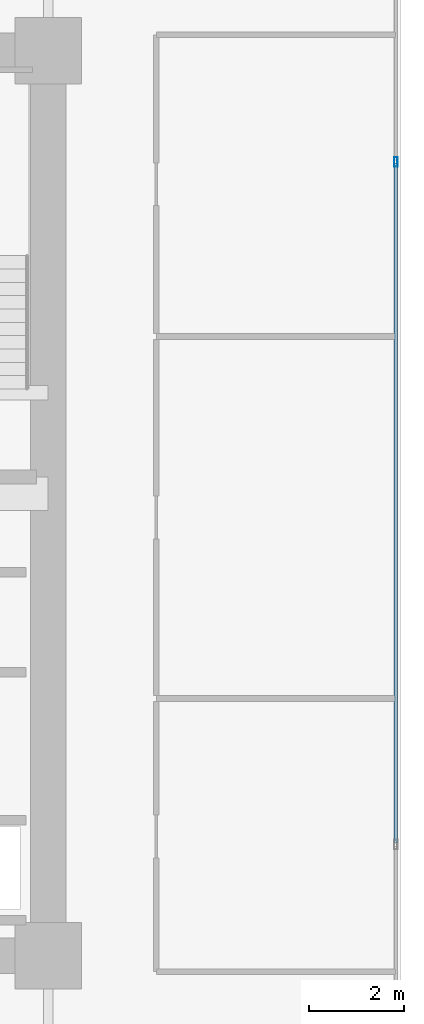
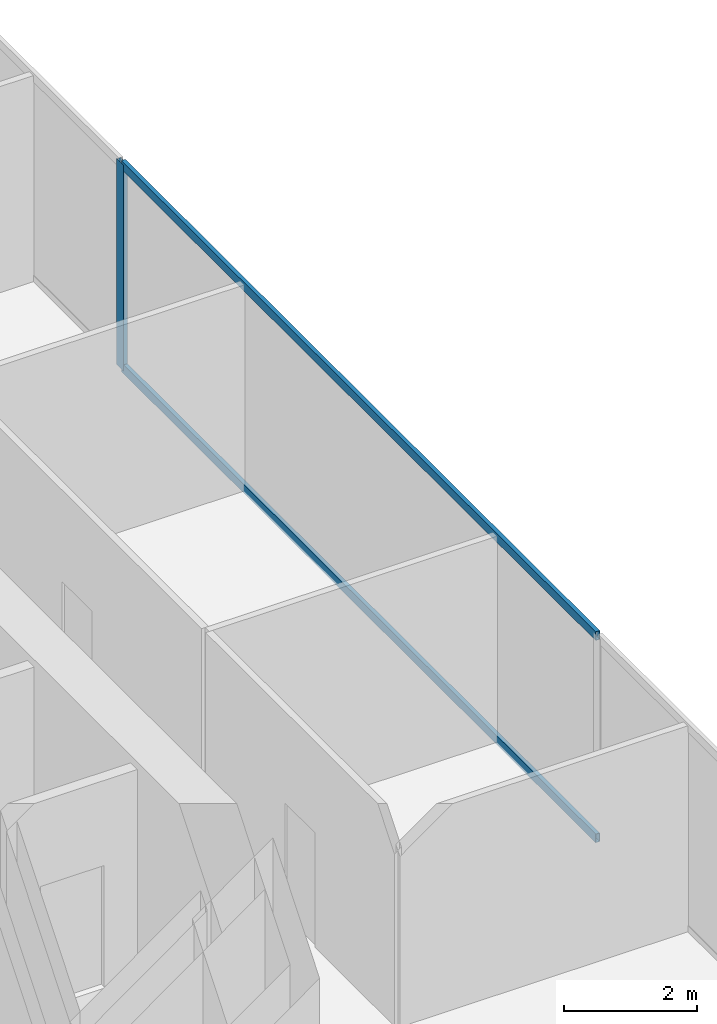
# One storey, part 25 of 35: 3 members, 1 element without a shape of its own.
"""IFC4 building model written with IfcOpenShell, lengths in metres."""

from ifc_helpers import new_model, si_unit, direction, frame, origin, origin_2d, place, context, subcontext, project, spatial, hollow_rectangle, extrude, source, transform, mapped, material, layer, layer_set, material_profile, profile_set, type_object, type_shapes, element, aggregate, save


model = new_model("IFC4")

# Units and contexts
model_context = context("Model", 3, precision=1e-05, world=origin(), true_north=direction((0.0, 1.0)))
body_context = subcontext(model_context, "Body", "Model", "MODEL_VIEW")
ifc_project = project(units=[si_unit("LENGTHUNIT", "METRE"), si_unit("AREAUNIT", "SQUARE_METRE"), si_unit("VOLUMEUNIT", "CUBIC_METRE"), si_unit("PLANEANGLEUNIT", "RADIAN"), si_unit("MASSUNIT", "GRAM", prefix="KILO")], contexts=[model_context])

# Site, building, storey
site_placement = place(None, origin())
site = spatial("IfcSite", under=ifc_project, at=site_placement, CompositionType="ELEMENT")
building_placement = place(site_placement, origin())
building = spatial("IfcBuilding", under=site, at=building_placement, Name="Haelvirn Gate Laboratories", CompositionType="ELEMENT")
storey_placement = place(building_placement, frame((0.0, 0.0, 82.60009765625)))
storey = spatial("IfcBuildingStorey", under=building, at=storey_placement, Name="L20", CompositionType="ELEMENT", Elevation=82.60009765625)

# Curtain wall, members
ifc_material_1 = material(Name="Anodised bronze unitised aluminium & triple low-E glass", Category="aluminium")
ifc_layer = layer(ifc_material_1, 0.18408203125, Name="CW-SYS-2")
ifc_layer_set = layer_set([ifc_layer], Name="Anodised bronze unitised aluminium & triple low-E glass")
curtain_wall_type = type_object("IfcCurtainWallType", Name="CW-SYS-2", PredefinedType="NOTDEFINED", material=ifc_layer_set)
curtain_wall_placement = place(storey_placement, origin())
curtain_wall = element("IfcCurtainWall", 1, at=curtain_wall_placement, inside=storey, type_object=curtain_wall_type, Name="L20 Unitised Curtain Wall CW-L20-P0-E07", PredefinedType="NOTDEFINED")
ifc_material_2 = material(Name="Extruded aluminium 6063-T6 (anodised bronze)", Category="aluminium")
ifc_material_profile_1 = material_profile(ifc_material_2, hollow_rectangle(XDim=0.070068359375, YDim=0.159912109375, WallThickness=0.0048828125, at=origin_2d()), Name="CWT-160x70x5")
ifc_profile_set_1 = profile_set([ifc_material_profile_1], Name="Extruded aluminium 6063-T6 (anodised bronze)")
member_type_1 = type_object("IfcMemberType", Name="CWT-T160", PredefinedType="USERDEFINED", material=ifc_profile_set_1)
shared_shape_1 = source(origin(), body_context, "Body", "SweptSolid", [
    extrude(hollow_rectangle(XDim=0.070068359375, YDim=0.159912109375, WallThickness=0.0048828125, at=origin_2d()), origin(), (0.0, 0.0, 1.0), 14.25830078125),
])
type_shapes(member_type_1, [shared_shape_1])
member_1_placement = place(storey_placement, frame((74.699951171875, 17.1708984375, 0.034912109375), z_axis=(0.0, 1.0, 0.0), x_axis=(-1.0, 0.0, 0.0)))
member_1 = element("IfcMember", 2, at=member_1_placement, type_object=member_type_1, Name="CW2 transom 2.1", ObjectType="TRANSOM", PredefinedType="USERDEFINED", context=body_context, shape_type="MappedRepresentation", body=[
    mapped(shared_shape_1, transform((0.0, 0.0, 0.0), scale=1.0)),
])
member_2_placement = place(storey_placement, frame((74.699951171875, 17.1708984375, 3.744873046875), z_axis=(0.0, 1.0, 0.0), x_axis=(-1.0, 0.0, 0.0)))
member_2 = element("IfcMember", 3, at=member_2_placement, type_object=member_type_1, Name="CW2 transom 2.2", ObjectType="TRANSOM", PredefinedType="USERDEFINED", context=body_context, shape_type="MappedRepresentation", body=[
    mapped(shared_shape_1, transform((0.0, 0.0, 0.0), scale=1.0)),
])
ifc_material_profile_2 = material_profile(ifc_material_2, hollow_rectangle(XDim=0.074951171875, YDim=0.199951171875, WallThickness=0.0048828125, at=origin_2d()), Name="CWM-200x75x5")
ifc_profile_set_2 = profile_set([ifc_material_profile_2], Name="Extruded aluminium 6063-T6 (anodised bronze)")
member_type_2 = type_object("IfcMemberType", Name="CWM-T200", PredefinedType="MULLION", material=ifc_profile_set_2)
shared_shape_2 = source(origin(), body_context, "Body", "SweptSolid", [
    extrude(hollow_rectangle(XDim=0.074951171875, YDim=0.199951171875, WallThickness=0.0048828125, at=origin_2d()), origin(), (0.0, 0.0, 1.0), 3.77978515625),
])
type_shapes(member_type_2, [shared_shape_2])
member_3_placement = place(storey_placement, frame((74.699951171875, 31.466552734375, 0.0), z_axis=(0.0, 0.0, 1.0), x_axis=(-1.0, 0.0, 0.0)))
member_3 = element("IfcMember", 4, at=member_3_placement, type_object=member_type_2, Name="CW2 mullion 3", PredefinedType="MULLION", context=body_context, shape_type="MappedRepresentation", body=[
    mapped(shared_shape_2, transform((0.0, 0.0, 0.0), scale=1.0)),
])
aggregate(curtain_wall, [member_3, member_1, member_2])

save(model, "model.ifc")
